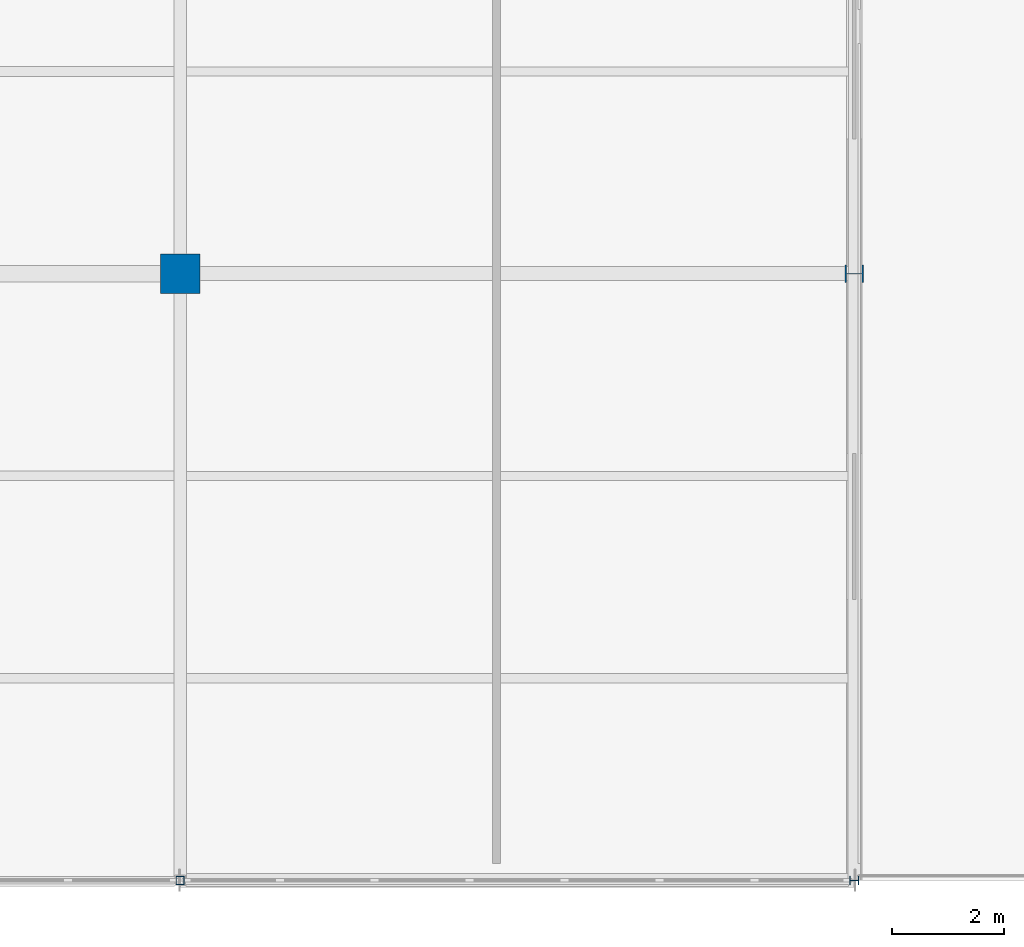
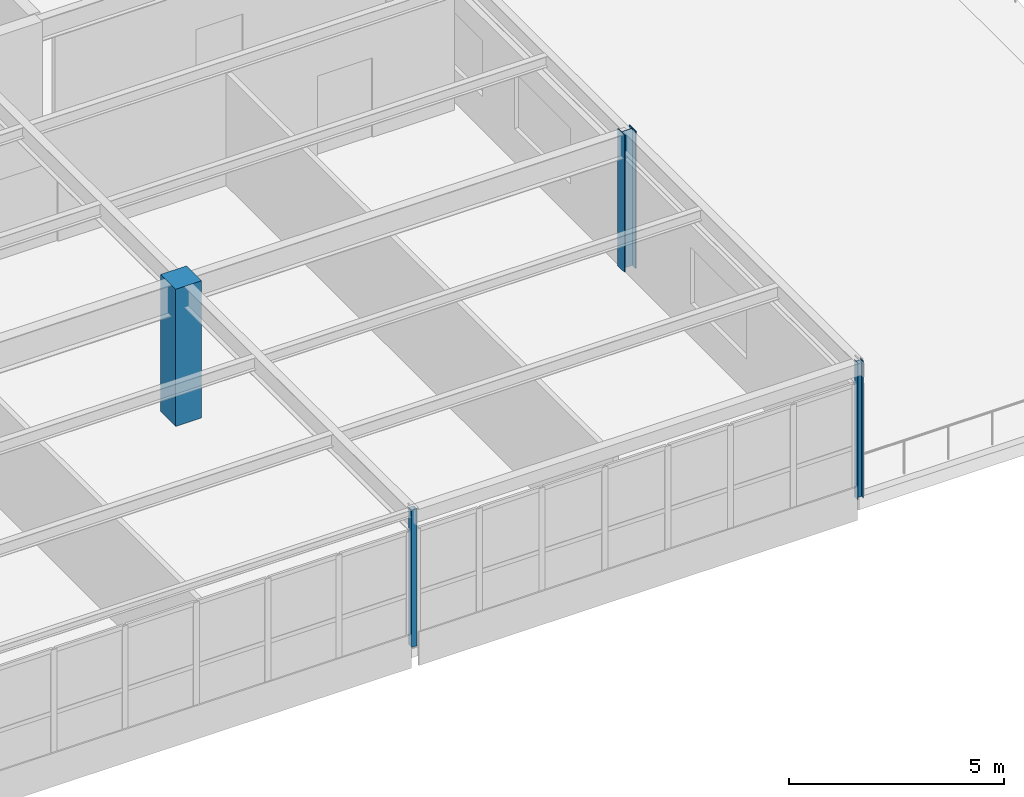
# One storey, part 17 of 128: 4 columns.
"""IFC4 building model written with IfcOpenShell, lengths in metres."""

from ifc_helpers import new_model, si_unit, direction, frame, origin, origin_2d, place, context, subcontext, project, spatial, rectangle, hollow_rectangle, i_section, extrude, material, material_profile, profile_set, type_object, element, save


model = new_model("IFC4")

# Units and contexts
model_context = context("Model", 3, precision=1e-05, world=origin(), true_north=direction((0.0, 1.0)))
body_context = subcontext(model_context, "Body", "Model", "MODEL_VIEW")
ifc_project = project(units=[si_unit("LENGTHUNIT", "METRE"), si_unit("AREAUNIT", "SQUARE_METRE"), si_unit("VOLUMEUNIT", "CUBIC_METRE"), si_unit("PLANEANGLEUNIT", "RADIAN"), si_unit("MASSUNIT", "GRAM", prefix="KILO")], contexts=[model_context])

# Site, building, storey
site_placement = place(None, origin())
site = spatial("IfcSite", under=ifc_project, at=site_placement, CompositionType="ELEMENT")
building_placement = place(site_placement, origin())
building = spatial("IfcBuilding", under=site, at=building_placement, Name="Tarnwether General Hospital", CompositionType="ELEMENT")
storey_placement = place(building_placement, frame((0.0, 0.0, 14.39990234375)))
storey = spatial("IfcBuildingStorey", under=building, at=storey_placement, Name="L03", CompositionType="ELEMENT", Elevation=14.39990234375)

# Columns
ifc_material_1 = material(Name="Steel Grade 350 (350 MPa)", Category="steel")
ifc_material_profile_1 = material_profile(ifc_material_1, i_section(OverallWidth=0.31103515625, OverallDepth=0.326904296875, WebThickness=0.015625, FlangeThickness=0.02490234375, at=origin_2d()), Name="310UC158")
ifc_profile_set_1 = profile_set([ifc_material_profile_1], Name="Steel Grade 350 (350 MPa)")
column_type_1 = type_object("IfcColumnType", Name="COL-05", PredefinedType="COLUMN", material=ifc_profile_set_1)
column_1_placement = place(storey_placement, frame((180.0, 10.800048828125, 0.0), z_axis=(0.0, 0.0, 1.0), x_axis=(0.0, 1.0, 0.0)))
element("IfcColumn", 1, at=column_1_placement, inside=storey, type_object=column_type_1, Name="Column COLG-L03-18000_1080", PredefinedType="COLUMN", context=body_context, shape_type="SweptSolid", body=[
    extrude(i_section(OverallWidth=0.31103515625, OverallDepth=0.326904296875, WebThickness=0.015625, FlangeThickness=0.02490234375, at=origin_2d()), origin(), (0.0, 0.0, 1.0), 3.900146484375),
])
ifc_material_2 = material(Name="Concrete 50 MPa", Category="concrete")
ifc_material_profile_2 = material_profile(ifc_material_2, rectangle(XDim=0.699951171875, YDim=0.699951171875, at=origin_2d()), Name="RC-COL-700x700")
ifc_profile_set_2 = profile_set([ifc_material_profile_2], Name="Concrete 50 MPa")
column_type_2 = type_object("IfcColumnType", Name="COL-18", PredefinedType="COLUMN", material=ifc_profile_set_2)
column_2_placement = place(storey_placement, frame((168.0, 10.800048828125, 0.0), z_axis=(0.0, 0.0, 1.0), x_axis=(1.0, 0.0, 0.0)))
element("IfcColumn", 2, at=column_2_placement, inside=storey, type_object=column_type_2, Name="Column COLG-L03-16800_1080", PredefinedType="COLUMN", context=body_context, shape_type="SweptSolid", body=[
    extrude(rectangle(XDim=0.699951171875, YDim=0.699951171875, at=origin_2d()), origin(), (0.0, 0.0, 1.0), 3.900146484375),
])
ifc_material_3 = material(Name="Steel Grade 350 (350 MPa)", Category="steel")
ifc_material_profile_3 = material_profile(ifc_material_3, i_section(OverallWidth=0.153076171875, OverallDepth=0.157958984375, WebThickness=0.006591796875, FlangeThickness=0.009521484375, at=origin_2d()), Name="150UC30.0")
ifc_profile_set_3 = profile_set([ifc_material_profile_3], Name="Steel Grade 350 (350 MPa)")
column_type_3 = type_object("IfcColumnType", Name="COL-31", PredefinedType="COLUMN", material=ifc_profile_set_3)
column_3_placement = place(storey_placement, frame((180.0, 0.0, 0.0), z_axis=(0.0, 0.0, 1.0), x_axis=(0.0, 1.0, 0.0)))
element("IfcColumn", 3, at=column_3_placement, inside=storey, type_object=column_type_3, Name="Column COLG-L03-18000_0", PredefinedType="COLUMN", context=body_context, shape_type="SweptSolid", body=[
    extrude(i_section(OverallWidth=0.153076171875, OverallDepth=0.157958984375, WebThickness=0.006591796875, FlangeThickness=0.009521484375, at=origin_2d()), origin(), (0.0, 0.0, 1.0), 3.900146484375),
])
ifc_material_4 = material(Name="Steel Grade C350L0 (350 MPa)", Category="steel")
ifc_material_profile_4 = material_profile(ifc_material_4, hollow_rectangle(XDim=0.14990234375, YDim=0.14990234375, WallThickness=0.008056640625, at=origin_2d()), Name="SHS150x150x8")
ifc_profile_set_4 = profile_set([ifc_material_profile_4], Name="Steel Grade C350L0 (350 MPa)")
column_type_4 = type_object("IfcColumnType", Name="COL-33", PredefinedType="COLUMN", material=ifc_profile_set_4)
column_4_placement = place(storey_placement, frame((168.0, 0.0, 0.0), z_axis=(0.0, 0.0, 1.0), x_axis=(1.0, 0.0, 0.0)))
element("IfcColumn", 4, at=column_4_placement, inside=storey, type_object=column_type_4, Name="Column COLG-L03-16800_0", PredefinedType="COLUMN", context=body_context, shape_type="SweptSolid", body=[
    extrude(hollow_rectangle(XDim=0.14990234375, YDim=0.14990234375, WallThickness=0.008056640625, at=origin_2d()), origin(), (0.0, 0.0, 1.0), 3.900146484375),
])

save(model, "model.ifc")
